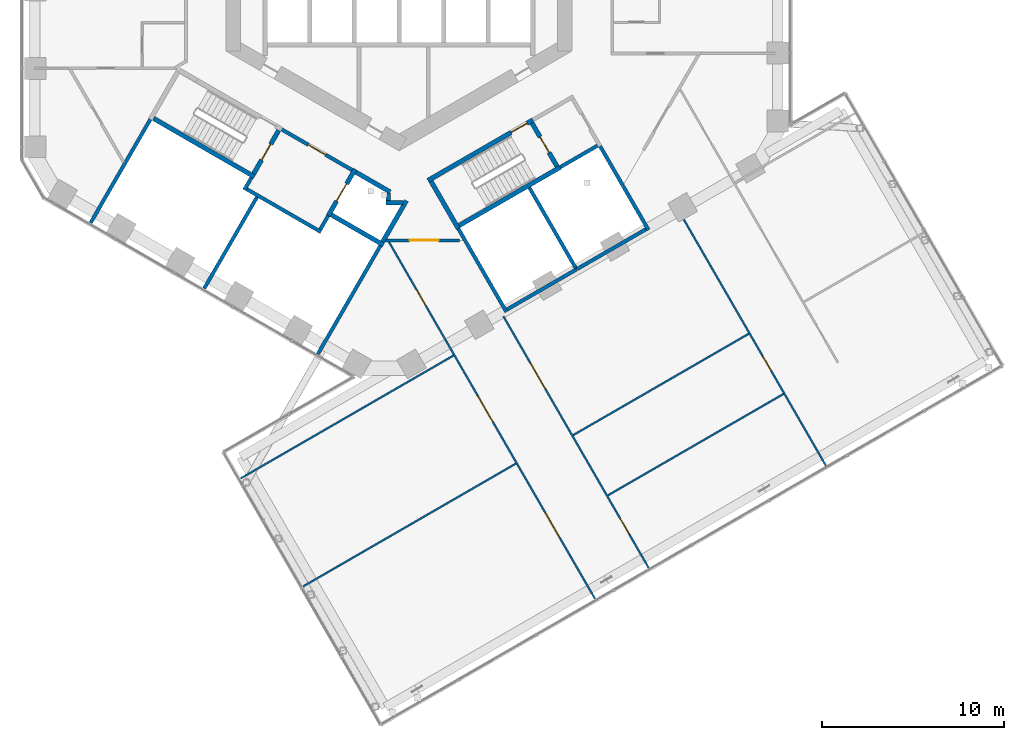
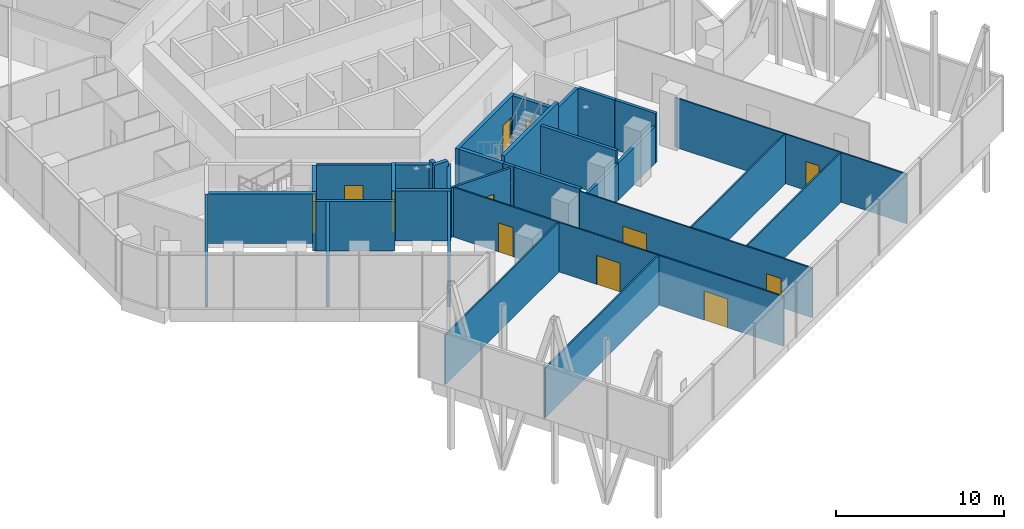
# One storey, part 18 of 27: 35 walls, 12 doors, 12 openings.
"""IFC4 building model written with IfcOpenShell, lengths in metres."""

from ifc_helpers import new_model, si_unit, direction, frame, frame_2d, origin, place, context, subcontext, project, spatial, rectangle, extrude, material, layer, layer_set, type_object, element, fill, save


model = new_model("IFC4")

# Units and contexts
model_context = context("Model", 3, precision=1e-05, world=origin(), true_north=direction((0.0, 1.0)))
body_context = subcontext(model_context, "Body", "Model", "MODEL_VIEW")
ifc_project = project(units=[si_unit("LENGTHUNIT", "METRE"), si_unit("AREAUNIT", "SQUARE_METRE"), si_unit("VOLUMEUNIT", "CUBIC_METRE"), si_unit("PLANEANGLEUNIT", "RADIAN"), si_unit("MASSUNIT", "GRAM", prefix="KILO")], contexts=[model_context])

# Site, building, storey
site_placement = place(None, origin())
site = spatial("IfcSite", under=ifc_project, at=site_placement, CompositionType="ELEMENT")
building_placement = place(site_placement, origin())
building = spatial("IfcBuilding", under=site, at=building_placement, Name="Ayvan Gate Tower", CompositionType="ELEMENT")
storey_placement = place(building_placement, frame((0.0, 0.0, 70.300048828125)))
storey = spatial("IfcBuildingStorey", under=building, at=storey_placement, Name="L18", CompositionType="ELEMENT", Elevation=70.300048828125)

# Wall, opening, door
ifc_material_1 = material(Name="Plasterboard on steel stud", Category="steel")
ifc_layer_1 = layer(ifc_material_1, 0.14990234375)
ifc_layer_set_1 = layer_set([ifc_layer_1], Name="Plasterboard on steel stud")
wall_type_1 = type_object("IfcWallType", Name="WT-CORR-150", PredefinedType="PARTITIONING", material=ifc_layer_set_1)
wall_1_placement = place(storey_placement, frame((-0.73193359375, -15.884521484375, 0.0), z_axis=(0.0, 0.0, 1.0), x_axis=(1.0, 0.0, 0.0)))
wall_1 = element("IfcWall", 1, at=wall_1_placement, inside=storey, type_object=wall_type_1, Name="IW-L18-063", PredefinedType="PARTITIONING", context=body_context, shape_type="SweptSolid", body=[
    extrude(rectangle(XDim=4.0556640625, YDim=0.14990234375, at=frame_2d((2.02783203125, 0.0))), origin(), (0.0, 0.0, 1.0), 3.599853515625),
])
opening_1_placement = place(wall_1_placement, frame((1.31005859375, 0.0, 0.0)))
opening_1 = element("IfcOpeningElement", 2, at=opening_1_placement, cuts=wall_1, Name="Opening L18-D40", PredefinedType="OPENING", context=body_context, shape_type="SweptSolid", body=[
    extrude(rectangle(XDim=1.60009765625, YDim=2.10009765625, at=frame_2d((0.800048828125, 1.050048828125))), frame((0.0, 0.0849609375, 0.0), z_axis=(0.0, -1.0, 0.0), x_axis=(1.0, 0.0, 0.0)), (0.0, 0.0, 1.0), 0.169921875),
])
ifc_material_2 = material(Name="Timber door leaf", Category="wood")
door_type_1 = type_object("IfcDoorType", Name="DT-1600", OperationType="NOTDEFINED", PredefinedType="DOOR", material=ifc_material_2)
door_1_placement = place(opening_1_placement, origin())
door_1 = element("IfcDoor", 3, at=door_1_placement, inside=storey, type_object=door_type_1, Name="ID-L18-040", OperationType="SINGLE_SWING_RIGHT", OverallHeight=2.10009765625, OverallWidth=1.60009765625, PredefinedType="DOOR", context=body_context, shape_type="SweptSolid", body=[
    extrude(rectangle(XDim=1.60009765625, YDim=2.10009765625, at=frame_2d((0.800048828125, 1.050048828125))), frame((0.0, 0.02490234375, 0.0), z_axis=(0.0, -1.0, 0.0), x_axis=(1.0, 0.0, 0.0)), (0.0, 0.0, 1.0), 0.050048828125),
])
fill(opening_1, door_1)

# Wall
ifc_layer_2 = layer(ifc_material_1, 0.10009765625)
ifc_layer_set_2 = layer_set([ifc_layer_2], Name="Plasterboard on steel stud")
wall_type_2 = type_object("IfcWallType", Name="WT-PART-100", PredefinedType="PARTITIONING", material=ifc_layer_set_2)
wall_2_placement = place(storey_placement, frame((2.98828125, -22.203369140625, 0.0), z_axis=(0.0, 0.0, 1.0), x_axis=(-0.866023652272, -0.500003033696, 0.0)))
element("IfcWall", 4, at=wall_2_placement, inside=storey, type_object=wall_type_2, Name="IW-L18-082", PredefinedType="PARTITIONING", context=body_context, shape_type="SweptSolid", body=[
    extrude(rectangle(XDim=13.482421875, YDim=0.10009765625, at=frame_2d((6.7412109375, 0.0))), origin(), (0.0, 0.0, 1.0), 3.599853515625),
])

# Wall, openings, doors
wall_3_placement = place(storey_placement, frame((-0.564697265625, -15.949462890625, 0.0), z_axis=(0.0, 0.0, 1.0), x_axis=(0.500000334318, -0.866025210766, 0.0)))
wall_3 = element("IfcWall", 5, at=wall_3_placement, inside=storey, type_object=wall_type_2, Name="IW-L18-083", PredefinedType="PARTITIONING", context=body_context, shape_type="SweptSolid", body=[
    extrude(rectangle(XDim=22.63818359375, YDim=0.10009765625, at=frame_2d((11.319091796875, 0.0))), origin(), (0.0, 0.0, 1.0), 3.599853515625),
])
opening_2_placement = place(wall_3_placement, frame((3.081298828125, 0.0, 0.0)))
opening_2 = element("IfcOpeningElement", 6, at=opening_2_placement, cuts=wall_3, Name="Opening L18-D48", PredefinedType="OPENING", context=body_context, shape_type="SweptSolid", body=[
    extrude(rectangle(XDim=1.0, YDim=2.10009765625, at=frame_2d((0.5, 1.050048828125))), frame((0.0, 0.06005859375, 0.0), z_axis=(0.0, -1.0, 0.0), x_axis=(1.0, 0.0, 0.0)), (0.0, 0.0, 1.0), 0.1201171875),
])
opening_3_placement = place(wall_3_placement, frame((9.81689453125, 0.0, 0.0)))
opening_3 = element("IfcOpeningElement", 7, at=opening_3_placement, cuts=wall_3, Name="Opening L18-D49", PredefinedType="OPENING", context=body_context, shape_type="SweptSolid", body=[
    extrude(rectangle(XDim=1.60009765625, YDim=2.10009765625, at=frame_2d((0.800048828125, 1.050048828125))), frame((0.0, 0.06005859375, 0.0), z_axis=(0.0, -1.0, 0.0), x_axis=(1.0, 0.0, 0.0)), (0.0, 0.0, 1.0), 0.1201171875),
])
opening_4_placement = place(wall_3_placement, frame((17.181640625, 0.0, 0.0)))
opening_4 = element("IfcOpeningElement", 8, at=opening_4_placement, cuts=wall_3, Name="Opening L18-D50", PredefinedType="OPENING", context=body_context, shape_type="SweptSolid", body=[
    extrude(rectangle(XDim=1.60009765625, YDim=2.10009765625, at=frame_2d((0.800048828125, 1.050048828125))), frame((0.0, 0.06005859375, 0.0), z_axis=(0.0, -1.0, 0.0), x_axis=(1.0, 0.0, 0.0)), (0.0, 0.0, 1.0), 0.1201171875),
])
door_type_2 = type_object("IfcDoorType", Name="DT-1000", OperationType="NOTDEFINED", PredefinedType="DOOR", material=ifc_material_2)
door_2_placement = place(opening_2_placement, origin())
door_2 = element("IfcDoor", 9, at=door_2_placement, inside=storey, type_object=door_type_2, Name="ID-L18-048", OperationType="SINGLE_SWING_RIGHT", OverallHeight=2.10009765625, OverallWidth=1.0, PredefinedType="DOOR", context=body_context, shape_type="SweptSolid", body=[
    extrude(rectangle(XDim=1.0, YDim=2.10009765625, at=frame_2d((0.5, 1.050048828125))), frame((0.0, 0.02490234375, 0.0), z_axis=(0.0, -1.0, 0.0), x_axis=(1.0, 0.0, 0.0)), (0.0, 0.0, 1.0), 0.050048828125),
])
fill(opening_2, door_2)
door_3_placement = place(opening_3_placement, origin())
door_3 = element("IfcDoor", 10, at=door_3_placement, inside=storey, type_object=door_type_1, Name="ID-L18-049", OperationType="SINGLE_SWING_LEFT", OverallHeight=2.10009765625, OverallWidth=1.60009765625, PredefinedType="DOOR", context=body_context, shape_type="SweptSolid", body=[
    extrude(rectangle(XDim=1.60009765625, YDim=2.10009765625, at=frame_2d((0.800048828125, 1.050048828125))), frame((0.0, 0.02490234375, 0.0), z_axis=(0.0, -1.0, 0.0), x_axis=(1.0, 0.0, 0.0)), (0.0, 0.0, 1.0), 0.050048828125),
])
fill(opening_3, door_3)
door_4_placement = place(opening_4_placement, origin())
door_4 = element("IfcDoor", 11, at=door_4_placement, inside=storey, type_object=door_type_1, Name="ID-L18-050", OperationType="SINGLE_SWING_RIGHT", OverallHeight=2.10009765625, OverallWidth=1.60009765625, PredefinedType="DOOR", context=body_context, shape_type="SweptSolid", body=[
    extrude(rectangle(XDim=1.60009765625, YDim=2.10009765625, at=frame_2d((0.800048828125, 1.050048828125))), frame((0.0, 0.02490234375, 0.0), z_axis=(0.0, -1.0, 0.0), x_axis=(1.0, 0.0, 0.0)), (0.0, 0.0, 1.0), 0.050048828125),
])
fill(opening_4, door_4)

wall_4_placement = place(storey_placement, frame((5.72705078125, -20.047119140625, 0.0), z_axis=(0.0, 0.0, 1.0), x_axis=(0.49999285859, -0.86602952684, 0.0)))
wall_4 = element("IfcWall", 12, at=wall_4_placement, inside=storey, type_object=wall_type_2, Name="IW-L18-090", PredefinedType="PARTITIONING", context=body_context, shape_type="SweptSolid", body=[
    extrude(rectangle(XDim=15.943603515625, YDim=0.10009765625, at=frame_2d((7.9716796875, 0.0))), origin(), (0.0, 0.0, 1.0), 3.599853515625),
])
opening_5_placement = place(wall_4_placement, frame((2.968017578125, 0.0, 0.0)))
opening_5 = element("IfcOpeningElement", 13, at=opening_5_placement, cuts=wall_4, Name="Opening L18-D43", PredefinedType="OPENING", context=body_context, shape_type="SweptSolid", body=[
    extrude(rectangle(XDim=1.60009765625, YDim=2.10009765625, at=frame_2d((0.800048828125, 1.050048828125))), frame((0.0, 0.06005859375, 0.0), z_axis=(0.0, -1.0, 0.0), x_axis=(1.0, 0.0, 0.0)), (0.0, 0.0, 1.0), 0.1201171875),
])
opening_6_placement = place(wall_4_placement, frame((12.8046875, 0.0, 0.0)))
opening_6 = element("IfcOpeningElement", 14, at=opening_6_placement, cuts=wall_4, Name="Opening L18-D47", PredefinedType="OPENING", context=body_context, shape_type="SweptSolid", body=[
    extrude(rectangle(XDim=1.0, YDim=2.10009765625, at=frame_2d((0.5, 1.050048828125))), frame((0.0, 0.06005859375, 0.0), z_axis=(0.0, -1.0, 0.0), x_axis=(1.0, 0.0, 0.0)), (0.0, 0.0, 1.0), 0.1201171875),
])
door_5_placement = place(opening_6_placement, origin())
door_5 = element("IfcDoor", 15, at=door_5_placement, inside=storey, type_object=door_type_2, Name="ID-L18-047", OperationType="SINGLE_SWING_LEFT", OverallHeight=2.10009765625, OverallWidth=1.0, PredefinedType="DOOR", context=body_context, shape_type="SweptSolid", body=[
    extrude(rectangle(XDim=1.0, YDim=2.10009765625, at=frame_2d((0.5, 1.050048828125))), frame((0.0, 0.02490234375, 0.0), z_axis=(0.0, -1.0, 0.0), x_axis=(1.0, 0.0, 0.0)), (0.0, 0.0, 1.0), 0.050048828125),
])
fill(opening_6, door_5)
door_6_placement = place(opening_5_placement, origin())
door_6 = element("IfcDoor", 16, at=door_6_placement, inside=storey, type_object=door_type_1, Name="ID-L18-043", OperationType="SINGLE_SWING_LEFT", OverallHeight=2.10009765625, OverallWidth=1.60009765625, PredefinedType="DOOR", context=body_context, shape_type="SweptSolid", body=[
    extrude(rectangle(XDim=1.60009765625, YDim=2.10009765625, at=frame_2d((0.800048828125, 1.050048828125))), frame((0.0, 0.02490234375, 0.0), z_axis=(0.0, -1.0, 0.0), x_axis=(1.0, 0.0, 0.0)), (0.0, 0.0, 1.0), 0.050048828125),
])
fill(opening_5, door_6)

# Walls
wall_5_placement = place(storey_placement, frame((6.412353515625, -28.13427734375, 0.0), z_axis=(0.0, 0.0, 1.0), x_axis=(-0.86603149334, -0.499989452433, 0.0)))
element("IfcWall", 17, at=wall_5_placement, inside=storey, type_object=wall_type_2, Name="IW-L18-092", PredefinedType="PARTITIONING", context=body_context, shape_type="SweptSolid", body=[
    extrude(rectangle(XDim=13.482177734375, YDim=0.10009765625, at=frame_2d((6.7412109375, 0.0))), origin(), (0.0, 0.0, 1.0), 3.599853515625),
])
wall_6_placement = place(storey_placement, frame((19.192626953125, -21.009033203125, 0.0), z_axis=(0.0, 0.0, 1.0), x_axis=(-0.866020851292, -0.500007885066, 0.0)))
element("IfcWall", 18, at=wall_6_placement, inside=storey, type_object=wall_type_2, Name="IW-L18-134", PredefinedType="PARTITIONING", context=body_context, shape_type="SweptSolid", body=[
    extrude(rectangle(XDim=11.130615234375, YDim=0.10009765625, at=frame_2d((5.5654296875, 0.0))), origin(), (0.0, 0.0, 1.0), 3.599853515625),
])

# Wall, opening, door
wall_7_placement = place(storey_placement, frame((15.453125, -14.431884765625, 0.0), z_axis=(0.0, 0.0, 1.0), x_axis=(0.49999285859, -0.86602952684, 0.0)))
wall_7 = element("IfcWall", 19, at=wall_7_placement, inside=storey, type_object=wall_type_2, Name="IW-L18-135", PredefinedType="PARTITIONING", context=body_context, shape_type="SweptSolid", body=[
    extrude(rectangle(XDim=15.943603515625, YDim=0.10009765625, at=frame_2d((7.9716796875, 0.0))), origin(), (0.0, 0.0, 1.0), 3.599853515625),
])
opening_7_placement = place(wall_7_placement, frame((9.023681640625, 0.0, 0.0)))
opening_7 = element("IfcOpeningElement", 20, at=opening_7_placement, cuts=wall_7, Name="Opening L18-D45", PredefinedType="OPENING", context=body_context, shape_type="SweptSolid", body=[
    extrude(rectangle(XDim=0.89990234375, YDim=2.10009765625, at=frame_2d((0.449951171875, 1.050048828125))), frame((0.0, 0.06005859375, 0.0), z_axis=(0.0, -1.0, 0.0), x_axis=(1.0, 0.0, 0.0)), (0.0, 0.0, 1.0), 0.1201171875),
])
door_type_3 = type_object("IfcDoorType", Name="DT-900", OperationType="NOTDEFINED", PredefinedType="DOOR", material=ifc_material_2)
door_7_placement = place(opening_7_placement, origin())
door_7 = element("IfcDoor", 21, at=door_7_placement, inside=storey, type_object=door_type_3, Name="ID-L18-045", OperationType="SINGLE_SWING_LEFT", OverallHeight=2.10009765625, OverallWidth=0.89990234375, PredefinedType="DOOR", context=body_context, shape_type="SweptSolid", body=[
    extrude(rectangle(XDim=0.89990234375, YDim=2.10009765625, at=frame_2d((0.449951171875, 1.050048828125))), frame((0.0, 0.02490234375, 0.0), z_axis=(0.0, -1.0, 0.0), x_axis=(1.0, 0.0, 0.0)), (0.0, 0.0, 1.0), 0.050048828125),
])
fill(opening_7, door_7)

# Walls
wall_8_placement = place(storey_placement, frame((21.1005859375, -24.313720703125, 0.0), z_axis=(0.0, 0.0, 1.0), x_axis=(-0.866030349048, -0.499991434454, 0.0)))
element("IfcWall", 22, at=wall_8_placement, inside=storey, type_object=wall_type_2, Name="IW-L18-137", PredefinedType="PARTITIONING", context=body_context, shape_type="SweptSolid", body=[
    extrude(rectangle(XDim=11.130615234375, YDim=0.10009765625, at=frame_2d((5.5654296875, 0.0))), origin(), (0.0, 0.0, 1.0), 3.599853515625),
])
ifc_layer_3 = layer(ifc_material_1, 0.199951171875)
ifc_layer_set_3 = layer_set([ifc_layer_3], Name="Plasterboard on steel stud")
wall_type_3 = type_object("IfcWallType", Name="WT-PLUMB-200", PredefinedType="PLUMBINGWALL", material=ifc_layer_set_3)
wall_9_placement = place(storey_placement, frame((-16.92578125, -14.916259765625, 0.0), z_axis=(0.0, 0.0, 1.0), x_axis=(0.499992165211, 0.866029927155, 0.0)))
element("IfcWall", 23, at=wall_9_placement, inside=storey, type_object=wall_type_3, Name="IW-L18-004", PredefinedType="PLUMBINGWALL", context=body_context, shape_type="SweptSolid", body=[
    extrude(rectangle(XDim=6.5556640625, YDim=0.199951171875, at=frame_2d((3.27783203125, 0.0))), origin(), (0.0, 0.0, 1.0), 3.599853515625),
])
wall_10_placement = place(storey_placement, frame((-8.492919921875, -13.110107421875, 0.0), z_axis=(0.0, 0.0, 1.0), x_axis=(0.500067724834, 0.865986299303, 0.0)))
element("IfcWall", 24, at=wall_10_placement, inside=storey, type_object=wall_type_3, Name="IW-L18-028", PredefinedType="PLUMBINGWALL", context=body_context, shape_type="SweptSolid", body=[
    extrude(rectangle(XDim=0.775390625, YDim=0.199951171875, at=frame_2d((0.3876953125, 0.0))), origin(), (0.0, 0.0, 1.0), 3.599853515625),
])
wall_11_placement = place(storey_placement, frame((-7.800048828125, -13.510009765625, 0.0), z_axis=(0.0, 0.0, 1.0), x_axis=(-0.499982030767, -0.866035778077, 0.0)))
element("IfcWall", 25, at=wall_11_placement, inside=storey, type_object=wall_type_3, Name="IW-L18-030", PredefinedType="PLUMBINGWALL", context=body_context, shape_type="SweptSolid", body=[
    extrude(rectangle(XDim=5.780517578125, YDim=0.199951171875, at=frame_2d((2.89013671875, 0.0))), origin(), (0.0, 0.0, 1.0), 3.599853515625),
])
wall_12_placement = place(storey_placement, frame((-8.356201171875, -13.073486328125, 0.0), z_axis=(0.0, 0.0, 1.0), x_axis=(0.866038532462, -0.499977259774, 0.0)))
element("IfcWall", 26, at=wall_12_placement, inside=storey, type_object=wall_type_3, Name="IW-L18-031", PredefinedType="PLUMBINGWALL", context=body_context, shape_type="SweptSolid", body=[
    extrude(rectangle(XDim=4.699951171875, YDim=0.199951171875, at=frame_2d((2.35009765625, 0.0))), origin(), (0.0, 0.0, 1.0), 3.599853515625),
])
wall_13_placement = place(storey_placement, frame((-3.885009765625, -14.52880859375, 0.0), z_axis=(0.0, 0.0, 1.0), x_axis=(-0.499859285417, -0.866106630146, 0.0)))
element("IfcWall", 27, at=wall_13_placement, inside=storey, type_object=wall_type_3, Name="IW-L18-047", PredefinedType="PLUMBINGWALL", context=body_context, shape_type="SweptSolid", body=[
    extrude(rectangle(XDim=0.875244140625, YDim=0.199951171875, at=frame_2d((0.4375, 0.0))), origin(), (0.0, 0.0, 1.0), 3.599853515625),
])
wall_14_placement = place(storey_placement, frame((-1.027099609375, -16.178955078125, 0.0), z_axis=(0.0, 0.0, 1.0), x_axis=(-0.499984476993, -0.866034365811, 0.0)))
element("IfcWall", 28, at=wall_14_placement, inside=storey, type_object=wall_type_3, Name="IW-L18-060", PredefinedType="PLUMBINGWALL", context=body_context, shape_type="SweptSolid", body=[
    extrude(rectangle(XDim=6.855712890625, YDim=0.199951171875, at=frame_2d((3.427734375, 0.0))), origin(), (0.0, 0.0, 1.0), 3.599853515625),
])
wall_15_placement = place(storey_placement, frame((3.62841796875, -15.884521484375, 0.0), z_axis=(0.0, 0.0, 1.0), x_axis=(-0.499977539641, 0.866038370891, 0.0)))
element("IfcWall", 29, at=wall_15_placement, inside=storey, type_object=wall_type_3, Name="IW-L18-085", PredefinedType="PLUMBINGWALL", context=body_context, shape_type="SweptSolid", body=[
    extrude(rectangle(XDim=0.74560546875, YDim=0.199951171875, at=frame_2d((0.372802734375, 0.0))), origin(), (0.0, 0.0, 1.0), 3.599853515625),
])
wall_16_placement = place(storey_placement, frame((5.894287109375, -19.809326171875, 0.0), z_axis=(0.0, 0.0, 1.0), x_axis=(-0.499980071345, 0.866036909293, 0.0)))
element("IfcWall", 30, at=wall_16_placement, inside=storey, type_object=wall_type_3, Name="IW-L18-091", PredefinedType="PLUMBINGWALL", context=body_context, shape_type="SweptSolid", body=[
    extrude(rectangle(XDim=4.511962890625, YDim=0.199951171875, at=frame_2d((2.255859375, 0.0))), origin(), (0.0, 0.0, 1.0), 3.599853515625),
])
wall_17_placement = place(storey_placement, frame((7.152587890625, -12.98876953125, 0.0), z_axis=(0.0, 0.0, 1.0), x_axis=(0.499993196246, -0.866029331898, 0.0)))
element("IfcWall", 31, at=wall_17_placement, inside=storey, type_object=wall_type_3, Name="IW-L18-095", PredefinedType="PLUMBINGWALL", context=body_context, shape_type="SweptSolid", body=[
    extrude(rectangle(XDim=5.177734375, YDim=0.199951171875, at=frame_2d((2.5888671875, 0.0))), origin(), (0.0, 0.0, 1.0), 3.599853515625),
])
wall_18_placement = place(storey_placement, frame((9.72412109375, -17.48291015625, 0.0), z_axis=(0.0, 0.0, 1.0), x_axis=(-0.866032430508, -0.49998782916, 0.0)))
element("IfcWall", 32, at=wall_18_placement, inside=storey, type_object=wall_type_3, Name="IW-L18-107", PredefinedType="PLUMBINGWALL", context=body_context, shape_type="SweptSolid", body=[
    extrude(rectangle(XDim=4.3798828125, YDim=0.199951171875, at=frame_2d((2.18994140625, 0.0))), origin(), (0.0, 0.0, 1.0), 2.675048828125),
])
wall_19_placement = place(storey_placement, frame((10.900634765625, -10.6806640625, 0.0), z_axis=(0.0, 0.0, 1.0), x_axis=(-0.866007538022, -0.500030943131, 0.0)))
element("IfcWall", 33, at=wall_19_placement, inside=storey, type_object=wall_type_3, Name="IW-L18-108", PredefinedType="PLUMBINGWALL", context=body_context, shape_type="SweptSolid", body=[
    extrude(rectangle(XDim=2.374755859375, YDim=0.199951171875, at=frame_2d((1.1875, 0.0))), origin(), (0.0, 0.0, 1.0), 3.599853515625),
])
wall_20_placement = place(storey_placement, frame((11.037353515625, -10.71728515625, 0.0), z_axis=(0.0, 0.0, 1.0), x_axis=(0.499989877761, -0.866031247783, 0.0)))
element("IfcWall", 34, at=wall_20_placement, inside=storey, type_object=wall_type_3, Name="IW-L18-109", PredefinedType="PLUMBINGWALL", context=body_context, shape_type="SweptSolid", body=[
    extrude(rectangle(XDim=2.50244140625, YDim=0.199951171875, at=frame_2d((1.251220703125, 0.0))), origin(), (0.0, 0.0, 1.0), 3.599853515625),
])
wall_21_placement = place(storey_placement, frame((12.298583984375, -12.90185546875, 0.0), z_axis=(0.0, 0.0, 1.0), x_axis=(0.500049332001, -0.865996920067, 0.0)))
element("IfcWall", 35, at=wall_21_placement, inside=storey, type_object=wall_type_3, Name="IW-L18-118", PredefinedType="PLUMBINGWALL", context=body_context, shape_type="SweptSolid", body=[
    extrude(rectangle(XDim=2.780029296875, YDim=0.199951171875, at=frame_2d((1.39013671875, 0.0))), origin(), (0.0, 0.0, 1.0), 3.599853515625),
])
wall_22_placement = place(storey_placement, frame((13.552001953125, -15.272705078125, 0.0), z_axis=(0.0, 0.0, 1.0), x_axis=(-0.866008294434, -0.500029633093, 0.0)))
element("IfcWall", 36, at=wall_22_placement, inside=storey, type_object=wall_type_3, Name="IW-L18-120", PredefinedType="PLUMBINGWALL", context=body_context, shape_type="SweptSolid", body=[
    extrude(rectangle(XDim=4.380126953125, YDim=0.199951171875, at=frame_2d((2.18994140625, 0.0))), origin(), (0.0, 0.0, 1.0), 2.675048828125),
])

# Wall, opening, door
ifc_layer_4 = layer(ifc_material_1, 0.199951171875)
ifc_layer_set_4 = layer_set([ifc_layer_4], Name="Plasterboard on steel stud")
wall_type_4 = type_object("IfcWallType", Name="WT-RATED-200", PredefinedType="PARTITIONING", material=ifc_layer_set_4)
wall_23_placement = place(storey_placement, frame((-6.4345703125, -9.794921875, 0.0), z_axis=(0.0, 0.0, 1.0), x_axis=(0.866012907634, -0.500021643343, 0.0)))
wall_23 = element("IfcWall", 37, at=wall_23_placement, inside=storey, type_object=wall_type_4, Name="IW-L18-040", PredefinedType="PARTITIONING", context=body_context, shape_type="SweptSolid", body=[
    extrude(rectangle(XDim=4.449951171875, YDim=0.199951171875, at=frame_2d((2.22509765625, 0.0))), origin(), (0.0, 0.0, 1.0), 3.599853515625),
])
opening_8_placement = place(wall_23_placement, frame((1.675048828125, 0.0, 0.0)))
opening_8 = element("IfcOpeningElement", 38, at=opening_8_placement, cuts=wall_23, Name="Opening L18-D12", PredefinedType="OPENING", context=body_context, shape_type="SweptSolid", body=[
    extrude(rectangle(XDim=1.10009765625, YDim=2.10009765625, at=frame_2d((0.550048828125, 1.050048828125))), frame((0.0, 0.10986328125, 0.0), z_axis=(0.0, -1.0, 0.0), x_axis=(1.0, 0.0, 0.0)), (0.0, 0.0, 1.0), 0.219970703125),
])
door_type_4 = type_object("IfcDoorType", Name="DT-1100", OperationType="NOTDEFINED", PredefinedType="DOOR", material=ifc_material_2)
door_8_placement = place(opening_8_placement, origin())
door_8 = element("IfcDoor", 39, at=door_8_placement, inside=storey, type_object=door_type_4, Name="ID-L18-012", OperationType="SINGLE_SWING_RIGHT", OverallHeight=2.10009765625, OverallWidth=1.10009765625, PredefinedType="DOOR", context=body_context, shape_type="SweptSolid", body=[
    extrude(rectangle(XDim=1.10009765625, YDim=2.10009765625, at=frame_2d((0.550048828125, 1.050048828125))), frame((0.0, 0.02490234375, 0.0), z_axis=(0.0, -1.0, 0.0), x_axis=(1.0, 0.0, 0.0)), (0.0, 0.0, 1.0), 0.050048828125),
])
fill(opening_8, door_8)

# Wall
ifc_material_3 = material(Name="Concrete C50/60", Category="concrete")
ifc_layer_5 = layer(ifc_material_3, 0.25)
ifc_layer_set_5 = layer_set([ifc_layer_5], Name="Concrete C50/60")
wall_type_5 = type_object("IfcWallType", Name="WT-RC-250", PredefinedType="SHEAR", material=ifc_layer_set_5)
wall_24_placement = place(storey_placement, frame((-7.9345703125, -12.39306640625, 0.0), z_axis=(0.0, 0.0, 1.0), x_axis=(-0.866025499775, 0.499999833739, 0.0)))
element("IfcWall", 40, at=wall_24_placement, inside=storey, type_object=wall_type_5, Name="IW-L18-029", PredefinedType="SHEAR", context=body_context, shape_type="SweptSolid", body=[
    extrude(rectangle(XDim=6.39990234375, YDim=0.25, at=frame_2d((3.199951171875, 0.0))), origin(), (0.0, 0.0, 1.0), 3.599853515625),
])

# Wall, opening, door
wall_25_placement = place(storey_placement, frame((-6.605224609375, -9.8408203125, 0.0), z_axis=(0.0, 0.0, 1.0), x_axis=(-0.499996545922, -0.866027397988, 0.0)))
wall_25 = element("IfcWall", 41, at=wall_25_placement, inside=storey, type_object=wall_type_5, Name="IW-L18-039", PredefinedType="SHEAR", context=body_context, shape_type="SweptSolid", body=[
    extrude(rectangle(XDim=2.75, YDim=0.25, at=frame_2d((1.375, 0.0))), origin(), (0.0, 0.0, 1.0), 3.599853515625),
])
opening_9_placement = place(wall_25_placement, frame((0.875, 0.0, 0.0)))
opening_9 = element("IfcOpeningElement", 42, at=opening_9_placement, cuts=wall_25, Name="Opening L18-D11", PredefinedType="OPENING", context=body_context, shape_type="SweptSolid", body=[
    extrude(rectangle(XDim=1.0, YDim=2.10009765625, at=frame_2d((0.5, 1.050048828125))), frame((0.0, 0.135009765625, 0.0), z_axis=(0.0, -1.0, 0.0), x_axis=(1.0, 0.0, 0.0)), (0.0, 0.0, 1.0), 0.27001953125),
])
door_9_placement = place(opening_9_placement, origin())
door_9 = element("IfcDoor", 43, at=door_9_placement, inside=storey, type_object=door_type_2, Name="ID-L18-011", OperationType="SINGLE_SWING_LEFT", OverallHeight=2.10009765625, OverallWidth=1.0, PredefinedType="DOOR", context=body_context, shape_type="SweptSolid", body=[
    extrude(rectangle(XDim=1.0, YDim=2.10009765625, at=frame_2d((0.5, 1.050048828125))), frame((0.0, 0.02490234375, 0.0), z_axis=(0.0, -1.0, 0.0), x_axis=(1.0, 0.0, 0.0)), (0.0, 0.0, 1.0), 0.050048828125),
])
fill(opening_9, door_9)

wall_26_placement = place(storey_placement, frame((-2.409912109375, -11.97412109375, 0.0), z_axis=(0.0, 0.0, 1.0), x_axis=(-0.500001826776, -0.866024349092, 0.0)))
wall_26 = element("IfcWall", 44, at=wall_26_placement, inside=storey, type_object=wall_type_5, Name="IW-L18-052", PredefinedType="SHEAR", context=body_context, shape_type="SweptSolid", body=[
    extrude(rectangle(XDim=2.9501953125, YDim=0.25, at=frame_2d((1.47509765625, 0.0))), origin(), (0.0, 0.0, 1.0), 3.599853515625),
])
opening_10_placement = place(wall_26_placement, frame((0.925048828125, 0.0, 0.0)))
opening_10 = element("IfcOpeningElement", 45, at=opening_10_placement, cuts=wall_26, Name="Opening L18-LD-FF2", PredefinedType="OPENING", context=body_context, shape_type="SweptSolid", body=[
    extrude(rectangle(XDim=1.10009765625, YDim=2.10009765625, at=frame_2d((0.550048828125, 1.050048828125))), frame((0.0, 0.135009765625, 0.0), z_axis=(0.0, -1.0, 0.0), x_axis=(1.0, 0.0, 0.0)), (0.0, 0.0, 1.0), 0.27001953125),
])
ifc_material_4 = material(Name="Stainless steel landing door", Category="steel")
door_type_5 = type_object("IfcDoorType", Name="DT-LANDING-1100", OperationType="SLIDING_TO_LEFT", PredefinedType="DOOR", material=ifc_material_4)
door_10_placement = place(opening_10_placement, origin())
door_10 = element("IfcDoor", 46, at=door_10_placement, inside=storey, type_object=door_type_5, Name="ID-L18-013", OperationType="SLIDING_TO_LEFT", OverallHeight=2.10009765625, OverallWidth=1.10009765625, PredefinedType="DOOR", context=body_context, shape_type="SweptSolid", body=[
    extrude(rectangle(XDim=1.10009765625, YDim=2.10009765625, at=frame_2d((0.550048828125, 1.050048828125))), frame((0.0, 0.02490234375, 0.0), z_axis=(0.0, -1.0, 0.0), x_axis=(1.0, 0.0, 0.0)), (0.0, 0.0, 1.0), 0.050048828125),
])
fill(opening_10, door_10)

# Walls
wall_27_placement = place(storey_placement, frame((-2.3642578125, -12.14501953125, 0.0), z_axis=(0.0, 0.0, 1.0), x_axis=(0.86603892542, -0.499976579108, 0.0)))
element("IfcWall", 47, at=wall_27_placement, inside=storey, type_object=wall_type_5, Name="IW-L18-053", PredefinedType="SHEAR", context=body_context, shape_type="SweptSolid", body=[
    extrude(rectangle(XDim=2.162109375, YDim=0.25, at=frame_2d((1.0810546875, 0.0))), origin(), (0.0, 0.0, 1.0), 3.599853515625),
])
wall_28_placement = place(storey_placement, frame((-0.8564453125, -16.13330078125, 0.0), z_axis=(0.0, 0.0, 1.0), x_axis=(-0.866021716278, 0.500006386895, 0.0)))
element("IfcWall", 48, at=wall_28_placement, inside=storey, type_object=wall_type_5, Name="IW-L18-061", PredefinedType="SHEAR", context=body_context, shape_type="SweptSolid", body=[
    extrude(rectangle(XDim=3.2998046875, YDim=0.25, at=frame_2d((1.64990234375, 0.0))), origin(), (0.0, 0.0, 1.0), 3.599853515625),
])
wall_29_placement = place(storey_placement, frame((-0.902099609375, -15.96240234375, 0.0), z_axis=(0.0, 0.0, 1.0), x_axis=(0.499981517636, 0.866036074319, 0.0)))
element("IfcWall", 49, at=wall_29_placement, inside=storey, type_object=wall_type_5, Name="IW-L18-062", PredefinedType="SHEAR", context=body_context, shape_type="SweptSolid", body=[
    extrude(rectangle(XDim=2.6103515625, YDim=0.25, at=frame_2d((1.30517578125, 0.0))), origin(), (0.0, 0.0, 1.0), 3.599853515625),
])
wall_30_placement = place(storey_placement, frame((-0.72509765625, -13.81005859375, 0.0), z_axis=(0.0, 0.0, 1.0), x_axis=(1.0, 0.0, 0.0)))
element("IfcWall", 50, at=wall_30_placement, inside=storey, type_object=wall_type_5, Name="IW-L18-064", PredefinedType="SHEAR", context=body_context, shape_type="SweptSolid", body=[
    extrude(rectangle(XDim=0.940673828125, YDim=0.25, at=frame_2d((0.47021484375, 0.0))), origin(), (0.0, 0.0, 1.0), 4.0),
])
wall_31_placement = place(storey_placement, frame((-0.60009765625, -13.28857421875, 0.0), z_axis=(0.0, 0.0, 1.0), x_axis=(0.0, -1.0, 0.0)))
element("IfcWall", 51, at=wall_31_placement, inside=storey, type_object=wall_type_5, Name="IW-L18-065", PredefinedType="SHEAR", context=body_context, shape_type="SweptSolid", body=[
    extrude(rectangle(XDim=0.396484375, YDim=0.25, at=frame_2d((0.1982421875, 0.0))), origin(), (0.0, 0.0, 1.0), 4.0),
])

# Wall, opening, door
wall_32_placement = place(storey_placement, frame((1.584716796875, -12.594970703125, 0.0), z_axis=(0.0, 0.0, 1.0), x_axis=(0.866036417653, 0.499980922934, 0.0)))
wall_32 = element("IfcWall", 52, at=wall_32_placement, inside=storey, type_object=wall_type_5, Name="IW-L18-077", PredefinedType="SHEAR", context=body_context, shape_type="SweptSolid", body=[
    extrude(rectangle(XDim=6.650146484375, YDim=0.25, at=frame_2d((3.3251953125, 0.0))), origin(), (0.0, 0.0, 1.0), 3.599853515625),
])
opening_11_placement = place(wall_32_placement, frame((5.27490234375, 0.0, 0.0)))
opening_11 = element("IfcOpeningElement", 53, at=opening_11_placement, cuts=wall_32, Name="Opening L18-D14", PredefinedType="OPENING", context=body_context, shape_type="SweptSolid", body=[
    extrude(rectangle(XDim=1.0, YDim=2.10009765625, at=frame_2d((0.5, 1.050048828125))), frame((0.0, 0.135009765625, 0.0), z_axis=(0.0, -1.0, 0.0), x_axis=(1.0, 0.0, 0.0)), (0.0, 0.0, 1.0), 0.27001953125),
])
door_11_placement = place(opening_11_placement, origin())
door_11 = element("IfcDoor", 54, at=door_11_placement, inside=storey, type_object=door_type_2, Name="ID-L18-014", OperationType="SINGLE_SWING_RIGHT", OverallHeight=2.10009765625, OverallWidth=1.0, PredefinedType="DOOR", context=body_context, shape_type="SweptSolid", body=[
    extrude(rectangle(XDim=1.0, YDim=2.10009765625, at=frame_2d((0.5, 1.050048828125))), frame((0.0, 0.02490234375, 0.0), z_axis=(0.0, -1.0, 0.0), x_axis=(1.0, 0.0, 0.0)), (0.0, 0.0, 1.0), 0.050048828125),
])
fill(opening_11, door_11)

# Walls
wall_33_placement = place(storey_placement, frame((3.255615234375, -15.23876953125, 0.0), z_axis=(0.0, 0.0, 1.0), x_axis=(-0.50002537861, 0.866010750942, 0.0)))
element("IfcWall", 55, at=wall_33_placement, inside=storey, type_object=wall_type_5, Name="IW-L18-084", PredefinedType="SHEAR", context=body_context, shape_type="SweptSolid", body=[
    extrude(rectangle(XDim=2.999755859375, YDim=0.25, at=frame_2d((1.5, 0.0))), origin(), (0.0, 0.0, 1.0), 3.599853515625),
])
wall_34_placement = place(storey_placement, frame((3.30126953125, -15.068115234375, 0.0), z_axis=(0.0, 0.0, 1.0), x_axis=(0.866035036182, 0.499983315828, 0.0)))
element("IfcWall", 56, at=wall_34_placement, inside=storey, type_object=wall_type_5, Name="IW-L18-096", PredefinedType="SHEAR", context=body_context, shape_type="SweptSolid", body=[
    extrude(rectangle(XDim=6.400146484375, YDim=0.25, at=frame_2d((3.2001953125, 0.0))), origin(), (0.0, 0.0, 1.0), 4.0),
])

# Wall, opening, door
wall_35_placement = place(storey_placement, frame((7.298095703125, -9.44091796875, 0.0), z_axis=(0.0, 0.0, 1.0), x_axis=(0.500034990121, -0.866005201286, 0.0)))
wall_35 = element("IfcWall", 57, at=wall_35_placement, inside=storey, type_object=wall_type_5, Name="IW-L18-097", PredefinedType="SHEAR", context=body_context, shape_type="SweptSolid", body=[
    extrude(rectangle(XDim=2.749755859375, YDim=0.25, at=frame_2d((1.375, 0.0))), origin(), (0.0, 0.0, 1.0), 3.599853515625),
])
opening_12_placement = place(wall_35_placement, frame((0.875, 0.0, 0.0)))
opening_12 = element("IfcOpeningElement", 58, at=opening_12_placement, cuts=wall_35, Name="Opening L18-D16", PredefinedType="OPENING", context=body_context, shape_type="SweptSolid", body=[
    extrude(rectangle(XDim=1.0, YDim=2.10009765625, at=frame_2d((0.5, 1.050048828125))), frame((0.0, 0.135009765625, 0.0), z_axis=(0.0, -1.0, 0.0), x_axis=(1.0, 0.0, 0.0)), (0.0, 0.0, 1.0), 0.27001953125),
])
door_12_placement = place(opening_12_placement, origin())
door_12 = element("IfcDoor", 59, at=door_12_placement, inside=storey, type_object=door_type_2, Name="ID-L18-016", OperationType="SINGLE_SWING_RIGHT", OverallHeight=2.10009765625, OverallWidth=1.0, PredefinedType="DOOR", context=body_context, shape_type="SweptSolid", body=[
    extrude(rectangle(XDim=1.0, YDim=2.10009765625, at=frame_2d((0.5, 1.050048828125))), frame((0.0, 0.02490234375, 0.0), z_axis=(0.0, -1.0, 0.0), x_axis=(1.0, 0.0, 0.0)), (0.0, 0.0, 1.0), 0.050048828125),
])
fill(opening_12, door_12)

save(model, "model.ifc")
